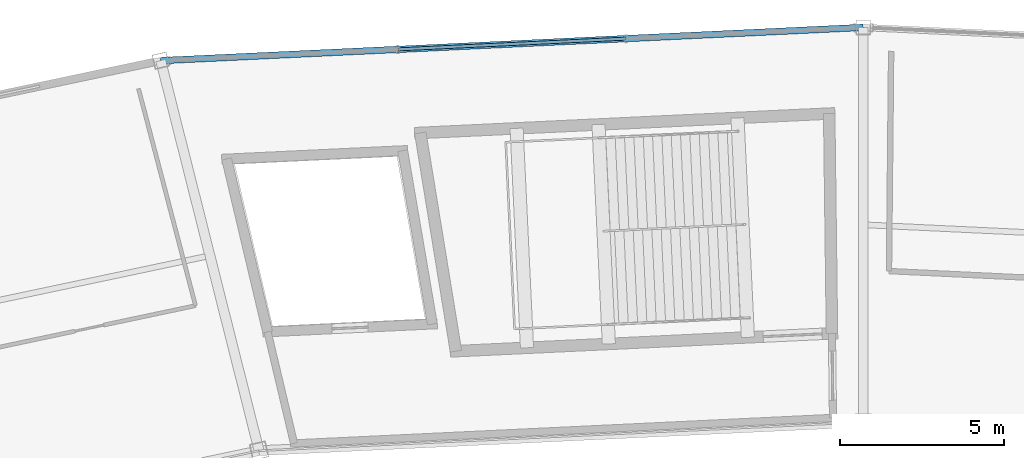
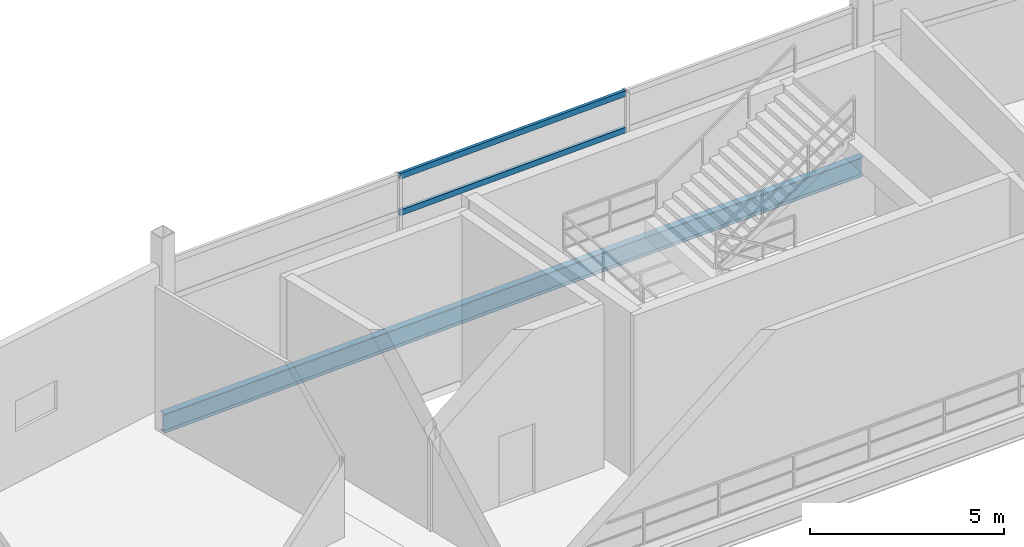
# One storey, part 58 of 103: 2 members, 1 beam, 1 element without a shape of its own.
"""IFC4 building model written with IfcOpenShell, lengths in metres."""

from ifc_helpers import new_model, si_unit, direction, frame, origin, origin_2d, place, context, subcontext, project, spatial, hollow_rectangle, i_section, extrude, material, layer, layer_set, material_profile, profile_set, type_object, element, aggregate, save


model = new_model("IFC4")

# Units and contexts
model_context = context("Model", 3, precision=1e-05, world=origin(), true_north=direction((0.0, 1.0)))
body_context = subcontext(model_context, "Body", "Model", "MODEL_VIEW")
ifc_project = project(units=[si_unit("LENGTHUNIT", "METRE"), si_unit("AREAUNIT", "SQUARE_METRE"), si_unit("VOLUMEUNIT", "CUBIC_METRE"), si_unit("PLANEANGLEUNIT", "RADIAN"), si_unit("MASSUNIT", "GRAM", prefix="KILO")], contexts=[model_context])

# Site, building, storey
site_placement = place(None, origin())
site = spatial("IfcSite", under=ifc_project, at=site_placement, CompositionType="ELEMENT")
building_placement = place(site_placement, origin())
building = spatial("IfcBuilding", under=site, at=building_placement, Name="Kazemori Nagisa Stadium", CompositionType="ELEMENT")
storey_placement = place(building_placement, frame((0.0, 0.0, 25.840087890625)))
storey = spatial("IfcBuildingStorey", under=building, at=storey_placement, Name="L05", CompositionType="ELEMENT", Elevation=25.840087890625)

# Beam
ifc_material_1 = material(Name="Steel SN490B", Category="steel")
ifc_material_profile_1 = material_profile(ifc_material_1, i_section(OverallWidth=0.199951171875, OverallDepth=0.60009765625, WebThickness=0.010986328125, FlangeThickness=0.01708984375, FilletRadius=0.012939453125, at=origin_2d()), Name="H-600x200x11x17")
ifc_profile_set_1 = profile_set([ifc_material_profile_1], Name="Steel SN490B")
beam_type = type_object("IfcBeamType", Name="Beam_BS-H600", PredefinedType="SPANDREL", material=ifc_profile_set_1)
beam_placement = place(storey_placement, frame((123.0, 188.0, -0.56005859375), z_axis=(-0.998883994571, -0.047230979144, 0.0), x_axis=(0.047230979144, -0.998883994571, 0.0)))
element("IfcBeam", 1, at=beam_placement, inside=storey, type_object=beam_type, Name="Ring girder BS-H600 L05 R3-08", PredefinedType="SPANDREL", context=body_context, shape_type="SweptSolid", body=[
    extrude(i_section(OverallWidth=0.199951171875, OverallDepth=0.60009765625, WebThickness=0.010986328125, FlangeThickness=0.01708984375, FilletRadius=0.012939453125, at=origin_2d()), origin(), (0.0, 0.0, 1.0), 21.45166015625),
])

# Curtain wall, members
ifc_material_2 = material(Name="Anodised aluminium 6063-T5", Category="aluminium")
ifc_layer = layer(ifc_material_2, 0.239990234375, Name="Anodised aluminium 6063-T5", Category="aluminium")
ifc_layer_set = layer_set([ifc_layer], Name="Anodised aluminium 6063-T5")
curtain_wall_type = type_object("IfcCurtainWallType", Name="CW_L05R3_105", PredefinedType="USERDEFINED", material=ifc_layer_set)
curtain_wall_placement = place(storey_placement, origin())
curtain_wall = element("IfcCurtainWall", 2, at=curtain_wall_placement, inside=storey, type_object=curtain_wall_type, Name="Unitised curtain wall CW-L05R3-105 L05", ObjectType="UNITISED CURTAIN WALL", PredefinedType="USERDEFINED")
ifc_material_3 = material(Name="Aluminium 6063-T5 anodised", Category="aluminium")
ifc_material_profile_2 = material_profile(ifc_material_3, hollow_rectangle(XDim=0.090087890625, YDim=0.179931640625, WallThickness=0.0048828125, at=origin_2d()), Name="ALU-TRAN-90x180x5")
ifc_profile_set_2 = profile_set([ifc_material_profile_2], Name="Aluminium 6063-T5 anodised")
member_type = type_object("IfcMemberType", Name="Transom_T03", PredefinedType="USERDEFINED", material=ifc_profile_set_2)
member_1_placement = place(storey_placement, frame((115.75244140625, 187.6572265625, 3.306884765625), z_axis=(-0.998885105073, -0.047207487358, 0.0), x_axis=(0.047207487358, -0.998885105073, 0.0)))
member_1 = element("IfcMember", 3, at=member_1_placement, type_object=member_type, Name="Curtain wall transom CW-L05R3-105-T2-mid", ObjectType="TRANSOM", PredefinedType="USERDEFINED", context=body_context, shape_type="SweptSolid", body=[
    extrude(hollow_rectangle(XDim=0.090087890625, YDim=0.179931640625, WallThickness=0.0048828125, at=origin_2d()), origin(), (0.0, 0.0, 1.0), 6.9404296875),
])
member_2_placement = place(storey_placement, frame((115.75244140625, 187.6572265625, 4.4599609375), z_axis=(-0.998885105073, -0.047207487358, 0.0), x_axis=(0.047207487358, -0.998885105073, 0.0)))
member_2 = element("IfcMember", 4, at=member_2_placement, type_object=member_type, Name="Curtain wall transom CW-L05R3-105-T2-head", ObjectType="TRANSOM", PredefinedType="USERDEFINED", context=body_context, shape_type="SweptSolid", body=[
    extrude(hollow_rectangle(XDim=0.090087890625, YDim=0.179931640625, WallThickness=0.0048828125, at=origin_2d()), origin(), (0.0, 0.0, 1.0), 6.9404296875),
])
aggregate(curtain_wall, [member_1, member_2])

save(model, "model.ifc")
